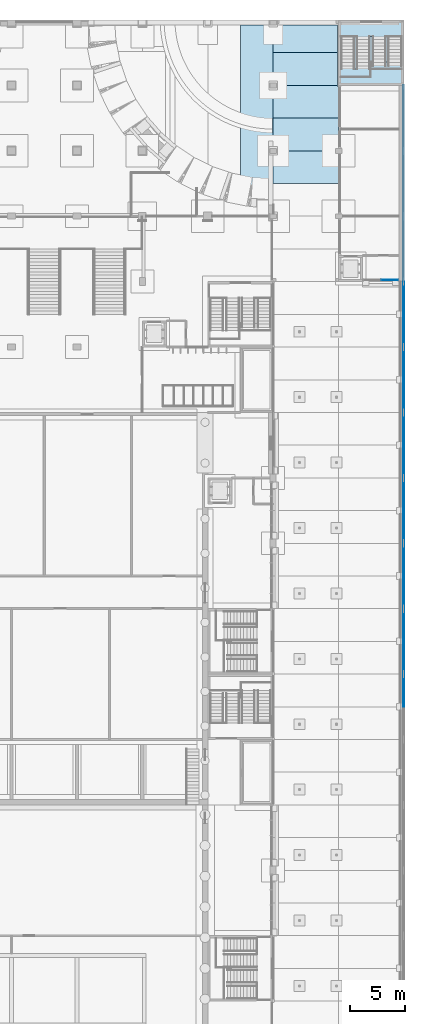
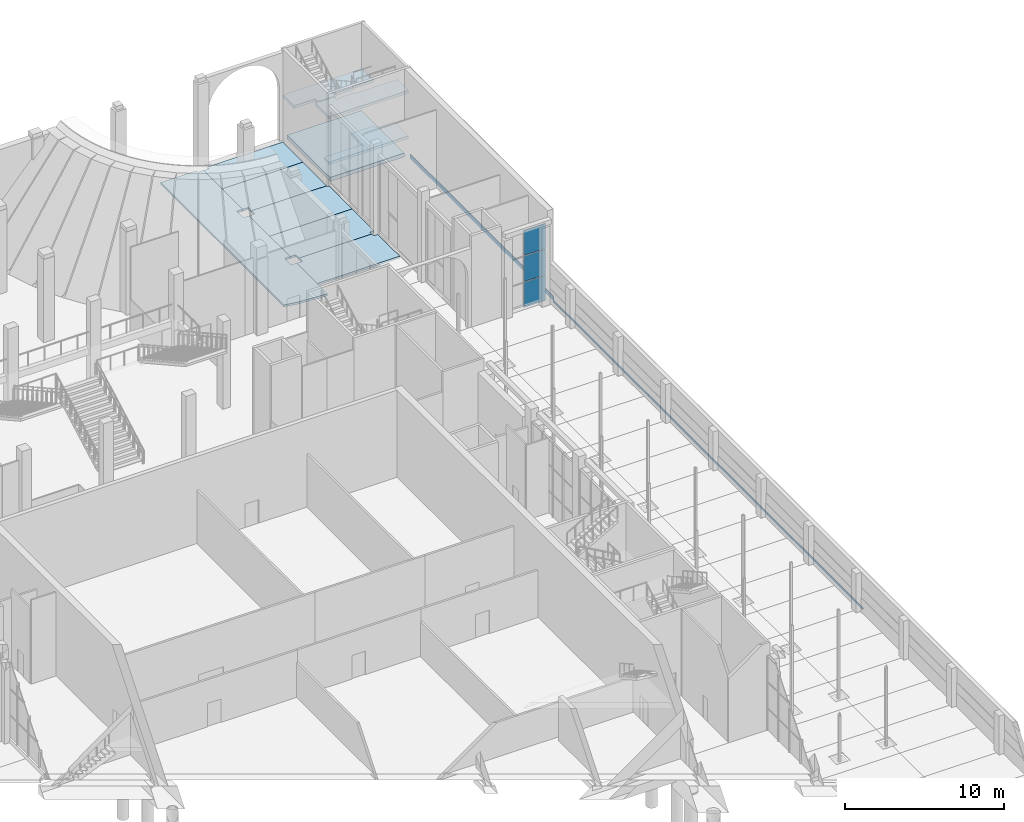
# One storey, part 39 of 95: 24 slabs, 3 plates, 2 elements without a shape of their own.
"""IFC4 building model written with IfcOpenShell, lengths in metres."""

import ifcopenshell
import ifcopenshell.guid

model = None  # the IFC model being written
_history = None  # IfcOwnerHistory: only IFC2X3 demands one
_inside = {}  # id of a spatial element -> (the spatial element, [elements in it])
_under = {}  # id of a project, library or spatial element -> (it, [spatial elements below it])
_declared = {}  # id of a project -> (the project, [libraries it declares])
_typed = {}  # id of a type object -> (the type object, [elements of that type])
_made_of = {}  # id of a material, layer set ... -> (it, [elements and type objects made of it])


def new_model(schema):
    """Start an empty IFC model of exactly this schema.

    Asked for "IFC4X3", IfcOpenShell would pick the latest addendum, in which some entities
    have other attributes; the version numbers below select the first issue.
    IFC2X3 requires an IfcOwnerHistory on every rooted entity: one is made here for all.
    """
    global model, _history
    if schema == "IFC4X3":
        model = ifcopenshell.file(schema_version=(4, 3, 0, 0))
    else:
        model = ifcopenshell.file(schema=schema)
    _inside.clear()
    _under.clear()
    _declared.clear()
    _typed.clear()
    _made_of.clear()
    _history = None
    if model.schema == "IFC2X3":
        org = make("IfcOrganization", Name="unknown")
        user = make(
            "IfcPersonAndOrganization",
            ThePerson=make("IfcPerson", FamilyName="unknown"),
            TheOrganization=org,
        )
        app = make(
            "IfcApplication",
            ApplicationDeveloper=org,
            Version="unknown",
            ApplicationFullName="unknown",
            ApplicationIdentifier="unknown",
        )
        _history = make(
            "IfcOwnerHistory",
            OwningUser=user,
            OwningApplication=app,
            ChangeAction="ADDED",
            CreationDate=0,
        )
    return model


def make(cls, **values):
    """One entity of the class cls with the attributes given. An attribute that is None is left unset."""
    return model.create_entity(
        cls, **{name: value for name, value in values.items() if value is not None}
    )


def rooted(cls, **values):
    """An entity with a GlobalId (a new one), such as an element, a storey or a relation."""
    return make(cls, GlobalId=ifcopenshell.guid.new(), OwnerHistory=_history, **values)


def si_unit(unit_type, name, prefix=None):
    """IfcSIUnit, for example si_unit("LENGTHUNIT", "METRE", prefix="MILLI")."""
    return make("IfcSIUnit", UnitType=unit_type, Prefix=prefix, Name=name)


def assignment(units):
    """IfcUnitAssignment: the units of a project."""
    return None if units is None else make("IfcUnitAssignment", Units=units)


def point(xyz):
    """IfcCartesianPoint."""
    return None if xyz is None else make("IfcCartesianPoint", Coordinates=xyz)


def direction(xyz):
    """IfcDirection."""
    return None if xyz is None else make("IfcDirection", DirectionRatios=xyz)


def frame(location, z_axis=None, x_axis=None):
    """IfcAxis2Placement3D, a coordinate frame: its origin and axes. An axis left out is left unset."""
    return make(
        "IfcAxis2Placement3D",
        Location=point(location),
        Axis=direction(z_axis),
        RefDirection=direction(x_axis),
    )


def frame_2d(location, x_axis=None):
    """IfcAxis2Placement2D, a coordinate frame in the plane: its origin and x axis."""
    return make(
        "IfcAxis2Placement2D", Location=point(location), RefDirection=direction(x_axis)
    )


def origin():
    """The frame at (0, 0, 0) with its axes left unset."""
    return frame((0.0, 0.0, 0.0))


def origin_2d():
    """The frame at (0, 0) in the plane with its x axis left unset."""
    return frame_2d((0.0, 0.0))


def place(relative_to, where):
    """IfcLocalPlacement: puts the frame where relative to a parent placement (None: the world)."""
    return make(
        "IfcLocalPlacement", PlacementRelTo=relative_to, RelativePlacement=where
    )


def context(
    kind, dimensions, precision=None, world=None, true_north=None, identifier=None
):
    """IfcGeometricRepresentationContext, for example the 3D "Model" context."""
    return make(
        "IfcGeometricRepresentationContext",
        ContextIdentifier=identifier,
        ContextType=kind,
        CoordinateSpaceDimension=dimensions,
        Precision=precision,
        WorldCoordinateSystem=world,
        TrueNorth=true_north,
    )


def subcontext(parent, identifier, kind, view, scale=None):
    """IfcGeometricRepresentationSubContext, for example "Body" below "Model"."""
    return make(
        "IfcGeometricRepresentationSubContext",
        ContextIdentifier=identifier,
        ContextType=kind,
        ParentContext=parent,
        TargetScale=scale,
        TargetView=view,
    )


def project(units=None, contexts=None):
    """IfcProject with its units and contexts."""
    return rooted(
        "IfcProject",
        Name="project",
        RepresentationContexts=contexts,
        UnitsInContext=assignment(units),
    )


def spatial(cls, under=None, at=None, **own):
    """A site, building, storey or space (cls), placed at a placement, below another one or the project."""
    s = rooted(cls, ObjectPlacement=at, **own)
    if under is not None:
        _under.setdefault(under.id(), (under, []))[1].append(s)
    return s


def polyline(points):
    """IfcPolyline through the points."""
    return make("IfcPolyline", Points=[point(p) for p in points])


def profile(cls, at=None, kind="AREA", **sizes):
    """A parametric profile (cls). Its sizes go by their IFC names, for example OverallWidth=200.0."""
    return make(cls, ProfileType=kind, Position=at, **sizes)


def rectangle(**sizes):
    """IfcRectangleProfileDef."""
    return profile("IfcRectangleProfileDef", **sizes)


def outline(outer, holes=None, kind="AREA"):
    """IfcArbitraryClosedProfileDef: a profile drawn as a closed curve; with holes, ...WithVoids."""
    if holes is None:
        return make("IfcArbitraryClosedProfileDef", ProfileType=kind, OuterCurve=outer)
    return make(
        "IfcArbitraryProfileDefWithVoids",
        ProfileType=kind,
        OuterCurve=outer,
        InnerCurves=holes,
    )


def extrude(swept, where, along, depth):
    """IfcExtrudedAreaSolid: the profile swept, set in the frame where, extruded along a direction by depth."""
    return make(
        "IfcExtrudedAreaSolid",
        SweptArea=swept,
        Position=where,
        ExtrudedDirection=direction(along),
        Depth=depth,
    )


def shape(context_of_items, identifier, shape_type, items):
    """IfcShapeRepresentation: the items that make up one representation, for example the "Body"."""
    return make(
        "IfcShapeRepresentation",
        ContextOfItems=context_of_items,
        RepresentationIdentifier=identifier,
        RepresentationType=shape_type,
        Items=items,
    )


def material(Name=None, Category=None):
    """IfcMaterial."""
    return make("IfcMaterial", Name=Name, Category=Category)


def layer(
    of_material, thickness, ventilated=None, Name=None, Category=None, Priority=None
):
    """IfcMaterialLayer: one layer of a wall or slab, of a material (None: an air gap)."""
    return make(
        "IfcMaterialLayer",
        Material=of_material,
        LayerThickness=thickness,
        IsVentilated=ventilated,
        Name=Name,
        Category=Category,
        Priority=Priority,
    )


def layer_set(layers, Name=None):
    """IfcMaterialLayerSet."""
    return make("IfcMaterialLayerSet", MaterialLayers=layers, LayerSetName=Name)


def made_of(thing, what):
    """Note that an element or type object is made of a material, layer set ...; save() writes the relation."""
    if what is not None:
        _made_of.setdefault(what.id(), (what, []))[1].append(thing)
    return thing


def type_object(cls, material=None, **own):
    """A type object (cls), such as IfcWallType, which elements share."""
    return made_of(rooted(cls, **own), material)


def element(
    cls,
    number,
    at=None,
    inside=None,
    cuts=None,
    type_object=None,
    material=None,
    context=None,
    identifier="Body",
    shape_type=None,
    held_by="IfcProductDefinitionShape",
    body=None,
    shapes=None,
    **own,
):
    """One element of the class cls, such as IfcWall. Its Tag is "e" and its number.

    at: its placement. inside: the storey or other place that contains it. cuts: it is an
    opening in that element (IfcRelVoidsElement). A single representation is given by context,
    identifier, shape_type and body (its items); several are given by shapes. held_by: the class
    of the entity that holds the representations. save() writes the other relations.
    """
    e = rooted(cls, Tag="e%d" % number, ObjectPlacement=at, **own)
    if body is not None:
        shapes = [shape(context, identifier, shape_type, body)]
    if shapes is not None:
        e.Representation = make(held_by, Representations=shapes)
    if inside is not None:
        _inside.setdefault(inside.id(), (inside, []))[1].append(e)
    if cuts is not None:
        rooted(
            "IfcRelVoidsElement", RelatingBuildingElement=cuts, RelatedOpeningElement=e
        )
    if type_object is not None:
        _typed.setdefault(type_object.id(), (type_object, []))[1].append(e)
    return made_of(e, material)


def aggregate(whole, parts):
    """IfcRelAggregates: a whole, such as a stair, and the parts it consists of."""
    return rooted("IfcRelAggregates", RelatingObject=whole, RelatedObjects=parts)


def save(model, path):
    """Write the relations noted so far, then the file.

    IfcRelAggregates (storeys below a building ...), IfcRelContainedInSpatialStructure (elements
    in a storey), IfcRelDefinesByType, IfcRelAssociatesMaterial and IfcRelDeclares: one each for
    every whole, place, type object, material and project.
    """
    for whole, parts in _under.values():
        aggregate(whole, parts)
    for where, things in _inside.values():
        rooted(
            "IfcRelContainedInSpatialStructure",
            RelatedElements=things,
            RelatingStructure=where,
        )
    for kind, things in _typed.values():
        rooted("IfcRelDefinesByType", RelatedObjects=things, RelatingType=kind)
    for what, things in _made_of.values():
        rooted("IfcRelAssociatesMaterial", RelatedObjects=things, RelatingMaterial=what)
    for by, libraries in _declared.values():
        rooted("IfcRelDeclares", RelatingContext=by, RelatedDefinitions=libraries)
    model.write(path)


model = new_model("IFC4")

# Units and contexts
model_context = context("Model", 3, precision=1e-05, world=origin(), true_north=direction((0.0, 1.0)))
body_context = subcontext(model_context, "Body", "Model", "MODEL_VIEW")
ifc_project = project(units=[si_unit("LENGTHUNIT", "METRE"), si_unit("AREAUNIT", "SQUARE_METRE"), si_unit("VOLUMEUNIT", "CUBIC_METRE"), si_unit("PLANEANGLEUNIT", "RADIAN"), si_unit("MASSUNIT", "GRAM", prefix="KILO")], contexts=[model_context])

# Site, building, storey
site_placement = place(None, origin())
site = spatial("IfcSite", under=ifc_project, at=site_placement, CompositionType="ELEMENT")
building_placement = place(site_placement, origin())
building = spatial("IfcBuilding", under=site, at=building_placement, Name="Saffron Lane Theatres", CompositionType="ELEMENT")
storey_placement = place(building_placement, origin())
storey = spatial("IfcBuildingStorey", under=building, at=storey_placement, Name="L00", CompositionType="ELEMENT", Elevation=0.0)

# Curtain wall, plates
ifc_material_1 = material(Name="Aluminium", Category="aluminium")
curtain_wall_type = type_object("IfcCurtainWallType", Name="EX-CURTAIN WALL 3340x6050x200", PredefinedType="NOTDEFINED", material=ifc_material_1)
curtain_wall_placement = place(storey_placement, origin())
curtain_wall = element("IfcCurtainWall", 1, at=curtain_wall_placement, inside=storey, type_object=curtain_wall_type, Name="Curtain wall L00 17", PredefinedType="NOTDEFINED")
ifc_material_2 = material(Name="Glass", Category="glass")
ifc_layer_1 = layer(ifc_material_2, 0.031982421875)
ifc_layer_set_1 = layer_set([ifc_layer_1], Name="Glass")
plate_type = type_object("IfcPlateType", Name="EX-CW PANEL GLAZING 32", PredefinedType="CURTAIN_PANEL", material=ifc_layer_set_1)
plate_1_placement = place(storey_placement, frame((64.68994140625, 102.14990234375, 0.06005859375), z_axis=(0.0, 0.0, 1.0), x_axis=(-1.0, 0.0, 0.0)))
plate_1 = element("IfcPlate", 2, at=plate_1_placement, type_object=plate_type, Name="CW-00-17 panel 1.1", PredefinedType="CURTAIN_PANEL", context=body_context, shape_type="SweptSolid", body=[
    extrude(rectangle(XDim=1.580078125, YDim=0.031982421875, at=origin_2d()), origin(), (0.0, 0.0, 1.0), 1.926513671875),
])
plate_2_placement = place(storey_placement, frame((64.68994140625, 102.14990234375, 2.04638671875), z_axis=(0.0, 0.0, 1.0), x_axis=(-1.0, 0.0, 0.0)))
plate_2 = element("IfcPlate", 3, at=plate_2_placement, type_object=plate_type, Name="CW-00-17 panel 1.2", PredefinedType="CURTAIN_PANEL", context=body_context, shape_type="SweptSolid", body=[
    extrude(rectangle(XDim=1.580078125, YDim=0.031982421875, at=origin_2d()), origin(), (0.0, 0.0, 1.0), 1.956787109375),
])
plate_3_placement = place(storey_placement, frame((64.68994140625, 102.14990234375, 4.0634765625), z_axis=(0.0, 0.0, 1.0), x_axis=(-1.0, 0.0, 0.0)))
plate_3 = element("IfcPlate", 4, at=plate_3_placement, type_object=plate_type, Name="CW-00-17 panel 1.3", PredefinedType="CURTAIN_PANEL", context=body_context, shape_type="SweptSolid", body=[
    extrude(rectangle(XDim=1.580078125, YDim=0.031982421875, at=origin_2d()), origin(), (0.0, 0.0, 1.0), 1.926513671875),
])
aggregate(curtain_wall, [plate_1, plate_2, plate_3])

# Slabs
ifc_material_3 = material(Name="Masonry bluestone paving", Category="masonry")
ifc_layer_2 = layer(ifc_material_3, 0.14990234375)
ifc_layer_set_2 = layer_set([ifc_layer_2], Name="Masonry bluestone paving")
slab_type_1 = type_object("IfcSlabType", Name="EX-PAVING BLUESTONE 150", PredefinedType="USERDEFINED", material=ifc_layer_set_2)
slab_1_placement = place(storey_placement, frame((0.0, 0.0, -0.14990234375)))
element("IfcSlab", 5, at=slab_1_placement, inside=storey, type_object=slab_type_1, Name="East court paving 24", ObjectType="PAVING", PredefinedType="USERDEFINED", context=body_context, shape_type="SweptSolid", body=[
    extrude(outline(polyline([(66.0, 63.0), (66.0, 66.0), (65.944091796875, 66.0), (65.944091796875, 63.0), (66.0, 63.0)])), origin(), (0.0, 0.0, 1.0), 0.14990234375),
])
slab_2_placement = place(storey_placement, frame((0.0, 0.0, -0.14990234375)))
element("IfcSlab", 6, at=slab_2_placement, inside=storey, type_object=slab_type_1, Name="East court paving 28", ObjectType="PAVING", PredefinedType="USERDEFINED", context=body_context, shape_type="SweptSolid", body=[
    extrude(outline(polyline([(66.0, 69.0), (66.0, 72.0), (65.944091796875, 72.0), (65.944091796875, 69.0), (66.0, 69.0)])), origin(), (0.0, 0.0, 1.0), 0.14990234375),
])
slab_3_placement = place(storey_placement, frame((0.0, 0.0, -0.14990234375)))
element("IfcSlab", 7, at=slab_3_placement, inside=storey, type_object=slab_type_1, Name="East court paving 32", ObjectType="PAVING", PredefinedType="USERDEFINED", context=body_context, shape_type="SweptSolid", body=[
    extrude(outline(polyline([(66.0, 75.0), (66.0, 78.0), (65.944091796875, 78.0), (65.944091796875, 75.0), (66.0, 75.0)])), origin(), (0.0, 0.0, 1.0), 0.14990234375),
])
slab_4_placement = place(storey_placement, frame((0.0, 0.0, -0.14990234375)))
element("IfcSlab", 8, at=slab_4_placement, inside=storey, type_object=slab_type_1, Name="East court paving 36", ObjectType="PAVING", PredefinedType="USERDEFINED", context=body_context, shape_type="SweptSolid", body=[
    extrude(outline(polyline([(66.0, 81.0), (66.0, 84.0), (65.944091796875, 84.0), (65.944091796875, 81.0), (66.0, 81.0)])), origin(), (0.0, 0.0, 1.0), 0.14990234375),
])
slab_5_placement = place(storey_placement, frame((0.0, 0.0, -0.14990234375)))
element("IfcSlab", 9, at=slab_5_placement, inside=storey, type_object=slab_type_1, Name="East court paving 40", ObjectType="PAVING", PredefinedType="USERDEFINED", context=body_context, shape_type="SweptSolid", body=[
    extrude(outline(polyline([(66.0, 87.0), (66.0, 90.0), (65.944091796875, 90.0), (65.944091796875, 87.0), (66.0, 87.0)])), origin(), (0.0, 0.0, 1.0), 0.14990234375),
])
slab_6_placement = place(storey_placement, frame((0.0, 0.0, -0.14990234375)))
element("IfcSlab", 10, at=slab_6_placement, inside=storey, type_object=slab_type_1, Name="East court paving 44", ObjectType="PAVING", PredefinedType="USERDEFINED", context=body_context, shape_type="SweptSolid", body=[
    extrude(outline(polyline([(66.0, 93.0), (66.0, 96.0), (65.944091796875, 96.0), (65.944091796875, 93.0), (66.0, 93.0)])), origin(), (0.0, 0.0, 1.0), 0.14990234375),
])
slab_7_placement = place(storey_placement, frame((0.0, 0.0, -0.14990234375)))
element("IfcSlab", 11, at=slab_7_placement, inside=storey, type_object=slab_type_1, Name="East court paving 48", ObjectType="PAVING", PredefinedType="USERDEFINED", context=body_context, shape_type="SweptSolid", body=[
    extrude(outline(polyline([(66.0, 101.99609375), (65.99951171875, 101.99609375), (65.944091796875, 101.99609375), (65.944091796875, 99.0), (66.0, 99.0), (66.0, 101.99609375), (66.0, 101.99609375)])), origin(), (0.0, 0.0, 1.0), 0.14990234375),
])
slab_8_placement = place(storey_placement, frame((0.0, 0.0, -0.14990234375)))
element("IfcSlab", 12, at=slab_8_placement, inside=storey, type_object=slab_type_1, Name="East arcade lane paving 4", ObjectType="PAVING", PredefinedType="USERDEFINED", context=body_context, shape_type="SweptSolid", body=[
    extrude(outline(polyline([(54.0, 113.59619140625), (54.0, 111.0), (59.99609375, 111.0), (59.99609375, 113.77099609375), (59.699951171875, 113.77099609375), (59.69970703125, 113.77099609375), (59.69921875, 113.77099609375), (59.69873046875, 113.771240234375), (59.698486328125, 113.771240234375), (59.697998046875, 113.771484375), (59.69775390625, 113.771728515625), (59.697509765625, 113.77197265625), (59.697265625, 113.772216796875), (59.697021484375, 113.7724609375), (59.69677734375, 113.772705078125), (59.696533203125, 113.773193359375), (59.6962890625, 113.7734375), (59.6962890625, 113.77392578125), (59.696044921875, 113.774169921875), (59.696044921875, 113.774658203125), (59.696044921875, 113.77490234375), (59.696044921875, 114.0), (54.40380859375, 114.0), (54.40380859375, 113.60009765625), (54.40380859375, 113.599609375), (54.40380859375, 113.599365234375), (54.40380859375, 113.598876953125), (54.403564453125, 113.5986328125), (54.4033203125, 113.59814453125), (54.4033203125, 113.597900390625), (54.403076171875, 113.59765625), (54.40283203125, 113.59716796875), (54.40234375, 113.596923828125), (54.402099609375, 113.5966796875), (54.40185546875, 113.5966796875), (54.4013671875, 113.596435546875), (54.401123046875, 113.59619140625), (54.400634765625, 113.59619140625), (54.400390625, 113.59619140625), (54.39990234375, 113.59619140625), (54.0, 113.59619140625)])), origin(), (0.0, 0.0, 1.0), 0.14990234375),
])
slab_9_placement = place(storey_placement, frame((0.0, 0.0, -0.14990234375)))
element("IfcSlab", 13, at=slab_9_placement, inside=storey, type_object=slab_type_1, Name="East arcade lane paving 6", ObjectType="PAVING", PredefinedType="USERDEFINED", context=body_context, shape_type="SweptSolid", body=[
    extrude(outline(polyline([(54.0, 119.59619140625), (54.0, 117.0), (59.99609375, 117.0), (59.99609375, 119.880126953125), (59.98828125, 119.880615234375), (59.9765625, 119.88232421875), (59.965087890625, 119.88525390625), (59.9541015625, 119.88916015625), (59.943359375, 119.894287109375), (59.933349609375, 119.900146484375), (59.923828125, 119.9072265625), (59.9150390625, 119.9150390625), (59.9072265625, 119.923828125), (59.900146484375, 119.933349609375), (59.894287109375, 119.943359375), (59.88916015625, 119.9541015625), (59.88525390625, 119.965087890625), (59.88232421875, 119.9765625), (59.880615234375, 119.98828125), (59.8798828125, 120.0), (54.40380859375, 120.0), (54.40380859375, 119.60009765625), (54.40380859375, 119.599609375), (54.40380859375, 119.599365234375), (54.40380859375, 119.598876953125), (54.403564453125, 119.5986328125), (54.4033203125, 119.59814453125), (54.4033203125, 119.597900390625), (54.403076171875, 119.59765625), (54.40283203125, 119.59716796875), (54.40234375, 119.596923828125), (54.402099609375, 119.5966796875), (54.40185546875, 119.5966796875), (54.4013671875, 119.596435546875), (54.401123046875, 119.59619140625), (54.400634765625, 119.59619140625), (54.400390625, 119.59619140625), (54.39990234375, 119.59619140625), (54.0, 119.59619140625)])), origin(), (0.0, 0.0, 1.0), 0.14990234375),
])
slab_10_placement = place(storey_placement, frame((0.0, 0.0, -0.14990234375)))
element("IfcSlab", 14, at=slab_10_placement, inside=storey, type_object=slab_type_1, Name="East arcade lane paving 8", ObjectType="PAVING", PredefinedType="USERDEFINED", context=body_context, shape_type="SweptSolid", body=[
    extrude(outline(polyline([(54.0, 125.345703125), (54.0, 123.0), (59.8798828125, 123.0), (59.8798828125, 125.54541015625), (54.40380859375, 125.54541015625), (54.40380859375, 125.349609375), (54.40380859375, 125.34912109375), (54.40380859375, 125.348876953125), (54.40380859375, 125.348388671875), (54.403564453125, 125.34814453125), (54.4033203125, 125.34765625), (54.4033203125, 125.347412109375), (54.403076171875, 125.34716796875), (54.40283203125, 125.3466796875), (54.40234375, 125.346435546875), (54.402099609375, 125.34619140625), (54.40185546875, 125.34619140625), (54.4013671875, 125.345947265625), (54.401123046875, 125.345703125), (54.400634765625, 125.345703125), (54.400390625, 125.345703125), (54.39990234375, 125.345703125), (54.0, 125.345703125)])), origin(), (0.0, 0.0, 1.0), 0.14990234375),
])
slab_11_placement = place(storey_placement, frame((0.0, 0.0, -0.14990234375)))
element("IfcSlab", 15, at=slab_11_placement, inside=storey, type_object=slab_type_1, Name="West forecourt paving 2", ObjectType="PAVING", PredefinedType="USERDEFINED", context=body_context, shape_type="SweptSolid", body=[
    extrude(outline(polyline([(53.59765625, 120.403076171875), (53.597900390625, 120.4033203125), (53.59814453125, 120.4033203125), (53.5986328125, 120.403564453125), (53.598876953125, 120.40380859375), (53.599365234375, 120.40380859375), (53.599609375, 120.40380859375), (53.60009765625, 120.40380859375), (54.0, 120.40380859375), (54.0, 125.345703125), (53.60009765625, 125.345703125), (53.599609375, 125.345703125), (53.599365234375, 125.345703125), (53.598876953125, 125.345703125), (53.5986328125, 125.345947265625), (53.59814453125, 125.34619140625), (53.597900390625, 125.34619140625), (53.59765625, 125.346435546875), (53.59716796875, 125.3466796875), (53.596923828125, 125.34716796875), (53.5966796875, 125.347412109375), (53.5966796875, 125.34765625), (53.596435546875, 125.34814453125), (53.59619140625, 125.348388671875), (53.59619140625, 125.348876953125), (53.59619140625, 125.34912109375), (53.59619140625, 125.349609375), (53.59619140625, 125.54541015625), (51.0, 125.54541015625), (51.0, 110.0166015625), (51.872802734375, 109.8427734375), (54.0, 109.70361328125), (54.0, 113.59619140625), (53.60009765625, 113.59619140625), (53.599609375, 113.59619140625), (53.599365234375, 113.59619140625), (53.598876953125, 113.59619140625), (53.5986328125, 113.596435546875), (53.59814453125, 113.5966796875), (53.597900390625, 113.5966796875), (53.59765625, 113.596923828125), (53.59716796875, 113.59716796875), (53.596923828125, 113.59765625), (53.5966796875, 113.597900390625), (53.5966796875, 113.59814453125), (53.596435546875, 113.5986328125), (53.59619140625, 113.598876953125), (53.59619140625, 113.599365234375), (53.59619140625, 113.599609375), (53.59619140625, 113.60009765625), (53.59619140625, 114.39990234375), (53.59619140625, 114.400390625), (53.59619140625, 114.400634765625), (53.59619140625, 114.401123046875), (53.596435546875, 114.4013671875), (53.5966796875, 114.40185546875), (53.5966796875, 114.402099609375), (53.596923828125, 114.40234375), (53.59716796875, 114.40283203125), (53.59765625, 114.403076171875), (53.597900390625, 114.4033203125), (53.59814453125, 114.4033203125), (53.5986328125, 114.403564453125), (53.598876953125, 114.40380859375), (53.599365234375, 114.40380859375), (53.599609375, 114.40380859375), (53.60009765625, 114.40380859375), (54.0, 114.40380859375), (54.0, 119.59619140625), (53.60009765625, 119.59619140625), (53.599609375, 119.59619140625), (53.599365234375, 119.59619140625), (53.598876953125, 119.59619140625), (53.5986328125, 119.596435546875), (53.59814453125, 119.5966796875), (53.597900390625, 119.5966796875), (53.59765625, 119.596923828125), (53.59716796875, 119.59716796875), (53.596923828125, 119.59765625), (53.5966796875, 119.597900390625), (53.5966796875, 119.59814453125), (53.596435546875, 119.5986328125), (53.59619140625, 119.598876953125), (53.59619140625, 119.599365234375), (53.59619140625, 119.599609375), (53.59619140625, 119.60009765625), (53.59619140625, 120.39990234375), (53.59619140625, 120.400390625), (53.59619140625, 120.400634765625), (53.59619140625, 120.401123046875), (53.596435546875, 120.4013671875), (53.5966796875, 120.40185546875), (53.5966796875, 120.402099609375), (53.596923828125, 120.40234375), (53.59716796875, 120.40283203125), (53.59765625, 120.403076171875)])), origin(), (0.0, 0.0, 1.0), 0.14990234375),
])
ifc_material_4 = material(Name="Masonry sandstone paving", Category="masonry")
ifc_layer_3 = layer(ifc_material_4, 0.14990234375)
ifc_layer_set_3 = layer_set([ifc_layer_3], Name="Masonry sandstone paving")
slab_type_2 = type_object("IfcSlabType", Name="EX-PAVING SANDSTONE 150", PredefinedType="USERDEFINED", material=ifc_layer_set_3)
slab_12_placement = place(storey_placement, frame((0.0, 0.0, -0.14990234375)))
element("IfcSlab", 16, at=slab_12_placement, inside=storey, type_object=slab_type_2, Name="East court paving 26", ObjectType="PAVING", PredefinedType="USERDEFINED", context=body_context, shape_type="SweptSolid", body=[
    extrude(outline(polyline([(66.0, 66.0), (66.0, 69.0), (65.944091796875, 69.0), (65.944091796875, 66.0), (66.0, 66.0)])), origin(), (0.0, 0.0, 1.0), 0.14990234375),
])
slab_13_placement = place(storey_placement, frame((0.0, 0.0, -0.14990234375)))
element("IfcSlab", 17, at=slab_13_placement, inside=storey, type_object=slab_type_2, Name="East court paving 30", ObjectType="PAVING", PredefinedType="USERDEFINED", context=body_context, shape_type="SweptSolid", body=[
    extrude(outline(polyline([(66.0, 72.0), (66.0, 75.0), (65.944091796875, 75.0), (65.944091796875, 72.0), (66.0, 72.0)])), origin(), (0.0, 0.0, 1.0), 0.14990234375),
])
slab_14_placement = place(storey_placement, frame((0.0, 0.0, -0.14990234375)))
element("IfcSlab", 18, at=slab_14_placement, inside=storey, type_object=slab_type_2, Name="East court paving 34", ObjectType="PAVING", PredefinedType="USERDEFINED", context=body_context, shape_type="SweptSolid", body=[
    extrude(outline(polyline([(66.0, 78.0), (66.0, 81.0), (65.944091796875, 81.0), (65.944091796875, 78.0), (66.0, 78.0)])), origin(), (0.0, 0.0, 1.0), 0.14990234375),
])
slab_15_placement = place(storey_placement, frame((0.0, 0.0, -0.14990234375)))
element("IfcSlab", 19, at=slab_15_placement, inside=storey, type_object=slab_type_2, Name="East court paving 38", ObjectType="PAVING", PredefinedType="USERDEFINED", context=body_context, shape_type="SweptSolid", body=[
    extrude(outline(polyline([(66.0, 84.0), (66.0, 87.0), (65.944091796875, 87.0), (65.944091796875, 84.0), (66.0, 84.0)])), origin(), (0.0, 0.0, 1.0), 0.14990234375),
])
slab_16_placement = place(storey_placement, frame((0.0, 0.0, -0.14990234375)))
element("IfcSlab", 20, at=slab_16_placement, inside=storey, type_object=slab_type_2, Name="East court paving 42", ObjectType="PAVING", PredefinedType="USERDEFINED", context=body_context, shape_type="SweptSolid", body=[
    extrude(outline(polyline([(66.0, 90.0), (66.0, 93.0), (65.944091796875, 93.0), (65.944091796875, 90.0), (66.0, 90.0)])), origin(), (0.0, 0.0, 1.0), 0.14990234375),
])
slab_17_placement = place(storey_placement, frame((0.0, 0.0, -0.14990234375)))
element("IfcSlab", 21, at=slab_17_placement, inside=storey, type_object=slab_type_2, Name="East court paving 46", ObjectType="PAVING", PredefinedType="USERDEFINED", context=body_context, shape_type="SweptSolid", body=[
    extrude(outline(polyline([(66.0, 96.0), (66.0, 99.0), (65.944091796875, 99.0), (65.944091796875, 96.0), (66.0, 96.0)])), origin(), (0.0, 0.0, 1.0), 0.14990234375),
])
slab_18_placement = place(storey_placement, frame((0.0, 0.0, -0.14990234375)))
element("IfcSlab", 22, at=slab_18_placement, inside=storey, type_object=slab_type_2, Name="East arcade lane paving 5", ObjectType="PAVING", PredefinedType="USERDEFINED", context=body_context, shape_type="SweptSolid", body=[
    extrude(outline(polyline([(54.40380859375, 114.39990234375), (54.40380859375, 114.0), (59.696044921875, 114.0), (59.696044921875, 114.22509765625), (59.696044921875, 114.225341796875), (59.696044921875, 114.225830078125), (59.6962890625, 114.22607421875), (59.6962890625, 114.2265625), (59.696533203125, 114.226806640625), (59.69677734375, 114.227294921875), (59.697021484375, 114.2275390625), (59.697265625, 114.227783203125), (59.697509765625, 114.22802734375), (59.69775390625, 114.228271484375), (59.697998046875, 114.228515625), (59.698486328125, 114.228759765625), (59.69873046875, 114.228759765625), (59.69921875, 114.22900390625), (59.69970703125, 114.22900390625), (59.699951171875, 114.22900390625), (59.99609375, 114.22900390625), (59.99609375, 117.0), (54.0, 117.0), (54.0, 114.40380859375), (54.39990234375, 114.40380859375), (54.400390625, 114.40380859375), (54.400634765625, 114.40380859375), (54.401123046875, 114.40380859375), (54.4013671875, 114.403564453125), (54.40185546875, 114.4033203125), (54.402099609375, 114.4033203125), (54.40234375, 114.403076171875), (54.40283203125, 114.40283203125), (54.403076171875, 114.40234375), (54.4033203125, 114.402099609375), (54.4033203125, 114.40185546875), (54.403564453125, 114.4013671875), (54.40380859375, 114.401123046875), (54.40380859375, 114.400634765625), (54.40380859375, 114.400390625), (54.40380859375, 114.39990234375)])), origin(), (0.0, 0.0, 1.0), 0.14990234375),
])
slab_19_placement = place(storey_placement, frame((0.0, 0.0, -0.14990234375)))
element("IfcSlab", 23, at=slab_19_placement, inside=storey, type_object=slab_type_2, Name="East arcade lane paving 7", ObjectType="PAVING", PredefinedType="USERDEFINED", context=body_context, shape_type="SweptSolid", body=[
    extrude(outline(polyline([(54.40380859375, 120.39990234375), (54.40380859375, 120.0), (59.8798828125, 120.0), (59.8798828125, 123.0), (54.0, 123.0), (54.0, 120.40380859375), (54.39990234375, 120.40380859375), (54.400390625, 120.40380859375), (54.400634765625, 120.40380859375), (54.401123046875, 120.40380859375), (54.4013671875, 120.403564453125), (54.40185546875, 120.4033203125), (54.402099609375, 120.4033203125), (54.40234375, 120.403076171875), (54.40283203125, 120.40283203125), (54.403076171875, 120.40234375), (54.4033203125, 120.402099609375), (54.4033203125, 120.40185546875), (54.403564453125, 120.4013671875), (54.40380859375, 120.401123046875), (54.40380859375, 120.400634765625), (54.40380859375, 120.400390625), (54.40380859375, 120.39990234375)])), origin(), (0.0, 0.0, 1.0), 0.14990234375),
])
ifc_material_5 = material(Name="Concrete N40 (40 MPa)", Category="concrete")
ifc_layer_4 = layer(ifc_material_5, 0.300048828125)
ifc_layer_set_4 = layer_set([ifc_layer_4], Name="Concrete N40 (40 MPa)")
slab_type_3 = type_object("IfcSlabType", Name="RC-SLAB BASE 300", PredefinedType="BASESLAB", material=ifc_layer_set_4)
slab_20_placement = place(storey_placement, origin())
element("IfcSlab", 24, at=slab_20_placement, inside=storey, type_object=slab_type_3, Name="slab-L00-WING_E-2", PredefinedType="BASESLAB", context=body_context, shape_type="SweptSolid", body=[
    extrude(outline(polyline([(65.93994140625, 102.0), (65.99951171875, 102.0), (65.99951171875, 120.0), (65.93994140625, 120.0), (65.93994140625, 102.0)])), origin(), (0.0, 0.0, 1.0), 0.300048828125),
])
slab_21_placement = place(storey_placement, origin())
element("IfcSlab", 25, at=slab_21_placement, inside=storey, type_object=slab_type_3, Name="slab-L00-core-ST15", PredefinedType="BASESLAB", context=body_context, shape_type="SweptSolid", body=[
    extrude(outline(polyline([(60.300048828125, 120.300048828125), (65.699951171875, 120.300048828125), (65.699951171875, 125.699951171875), (60.300048828125, 125.699951171875), (60.300048828125, 120.300048828125)])), origin(), (0.0, 0.0, 1.0), 0.300048828125),
])

# Stair, slabs
ifc_material_6 = material(Name="Concrete N40 (40 MPa)", Category="concrete")
stair_type = type_object("IfcStairType", Name="VC-STAIR EXIT", PredefinedType="TWO_STRAIGHT_RUN_STAIR", material=ifc_material_6)
stair_placement = place(storey_placement, origin())
stair = element("IfcStair", 26, at=stair_placement, inside=storey, type_object=stair_type, Name="East Wing Street Stair L00 to L01", PredefinedType="TWO_STRAIGHT_RUN_STAIR")
ifc_material_7 = material(Name="Concrete N40 (40 MPa)", Category="concrete")
ifc_layer_5 = layer(ifc_material_7, 0.199951171875)
ifc_layer_set_5 = layer_set([ifc_layer_5], Name="Concrete N40 (40 MPa)")
slab_type_4 = type_object("IfcSlabType", Name="VC-LANDING 200", PredefinedType="LANDING", material=ifc_layer_set_5)
slab_22_placement = place(storey_placement, frame((0.0, 0.0, 1.466552734375)))
slab_22 = element("IfcSlab", 27, at=slab_22_placement, type_object=slab_type_4, Name="ST35 landing 1", PredefinedType="LANDING", context=body_context, shape_type="SweptSolid", body=[
    extrude(outline(polyline([(62.89990234375, 122.14990234375), (64.550048828125, 122.14990234375), (64.550048828125, 121.89990234375), (65.89990234375, 121.89990234375), (65.89990234375, 120.10009765625), (60.10009765625, 120.10009765625), (60.10009765625, 120.75), (62.89990234375, 120.75), (62.89990234375, 122.14990234375)])), origin(), (0.0, 0.0, 1.0), 0.2001953125),
])
slab_23_placement = place(storey_placement, frame((0.0, 0.0, 3.13330078125)))
slab_23 = element("IfcSlab", 28, at=slab_23_placement, type_object=slab_type_4, Name="ST35 landing 2", PredefinedType="LANDING", context=body_context, shape_type="SweptSolid", body=[
    extrude(outline(polyline([(60.10009765625, 124.5), (60.10009765625, 125.89990234375), (65.89990234375, 125.89990234375), (65.89990234375, 124.5), (64.35009765625, 124.5), (64.35009765625, 124.39990234375), (63.10009765625, 124.39990234375), (63.10009765625, 124.5), (62.89990234375, 124.5), (62.89990234375, 124.14990234375), (61.64990234375, 124.14990234375), (61.64990234375, 124.5), (60.10009765625, 124.5)])), origin(), (0.0, 0.0, 1.0), 0.199951171875),
])
slab_24_placement = place(storey_placement, frame((0.0, 0.0, 4.966552734375)))
slab_24 = element("IfcSlab", 29, at=slab_24_placement, type_object=slab_type_4, Name="ST35 landing 3", PredefinedType="LANDING", context=body_context, shape_type="SweptSolid", body=[
    extrude(outline(polyline([(61.449951171875, 121.5), (61.64990234375, 121.5), (61.64990234375, 121.60009765625), (62.89990234375, 121.60009765625), (62.89990234375, 121.5), (65.89990234375, 121.5), (65.89990234375, 120.10009765625), (60.10009765625, 120.10009765625), (60.10009765625, 121.85009765625), (61.449951171875, 121.85009765625), (61.449951171875, 121.5)])), origin(), (0.0, 0.0, 1.0), 0.2001953125),
])
aggregate(stair, [slab_22, slab_23, slab_24])

save(model, "model.ifc")
